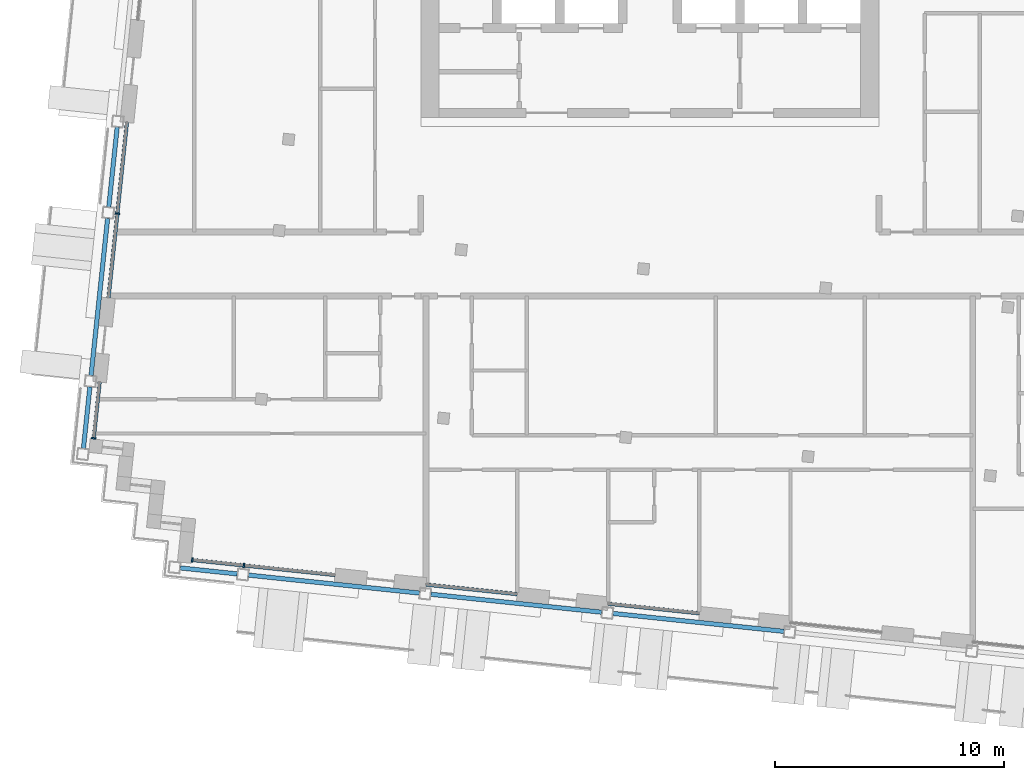
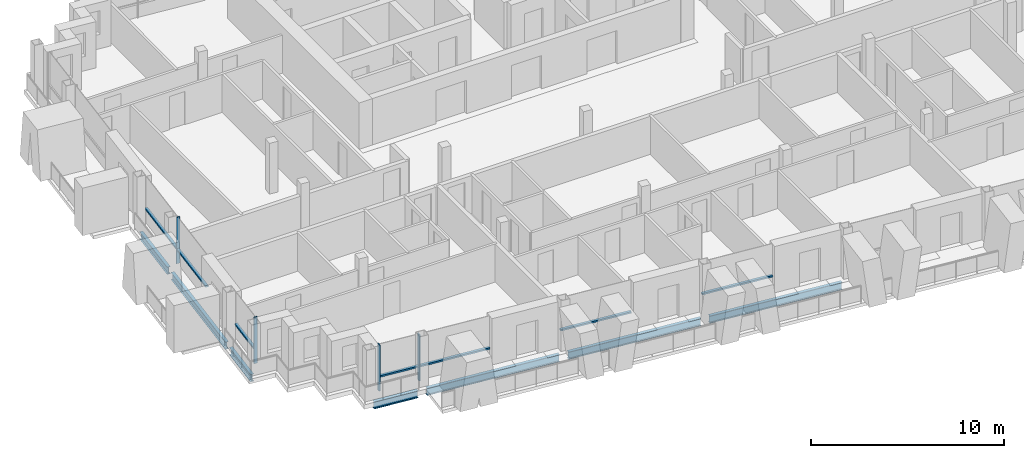
# One storey, part 2 of 16: 11 members, 7 beams, 5 elements without a shape of their own.
"""IFC4 building model written with IfcOpenShell, lengths in metres."""

from ifc_helpers import new_model, si_unit, direction, frame, origin, origin_2d, place, context, subcontext, project, spatial, rectangle, i_section, extrude, material, material_profile, profile_set, type_object, element, aggregate, save


model = new_model("IFC4")

# Units and contexts
model_context = context("Model", 3, precision=1e-05, world=origin(), true_north=direction((0.0, 1.0)))
body_context = subcontext(model_context, "Body", "Model", "MODEL_VIEW")
ifc_project = project(units=[si_unit("LENGTHUNIT", "METRE"), si_unit("AREAUNIT", "SQUARE_METRE"), si_unit("VOLUMEUNIT", "CUBIC_METRE"), si_unit("PLANEANGLEUNIT", "RADIAN"), si_unit("MASSUNIT", "GRAM", prefix="KILO")], contexts=[model_context])

# Site, building, storey
site_placement = place(None, origin())
site = spatial("IfcSite", under=ifc_project, at=site_placement, CompositionType="ELEMENT")
building_placement = place(site_placement, origin())
building = spatial("IfcBuilding", under=site, at=building_placement, Name="Vidyagriha Tower", CompositionType="ELEMENT")
storey_placement = place(building_placement, frame((0.0, 0.0, 259.5)))
storey = spatial("IfcBuildingStorey", under=building, at=storey_placement, Name="L67", CompositionType="ELEMENT", Elevation=259.5)

# Beams
ifc_material_1 = material(Name="Steel ASTM A992 Grade 50", Category="steel")
ifc_material_profile_1 = material_profile(ifc_material_1, i_section(OverallWidth=0.19189453125, OverallDepth=0.46240234375, WebThickness=0.010498046875, FlangeThickness=0.017578125, at=origin_2d()), Name="W18X60")
ifc_profile_set_1 = profile_set([ifc_material_profile_1], Name="Steel ASTM A992 Grade 50")
beam_type = type_object("IfcBeamType", Name="Edge beam W18X60", PredefinedType="SPANDREL", material=ifc_profile_set_1)
beam_1_placement = place(storey_placement, frame((-20.50341796875, -13.268798828125, -0.51123046875), z_axis=(0.994525767953, -0.104491611519, 0.0), x_axis=(0.104491611519, 0.994525767953, 0.0)))
element("IfcBeam", 1, at=beam_1_placement, inside=storey, type_object=beam_type, Name="st-beam-L67-S01", PredefinedType="SPANDREL", context=body_context, shape_type="SweptSolid", body=[
    extrude(i_section(OverallWidth=0.19189453125, OverallDepth=0.46240234375, WebThickness=0.010498046875, FlangeThickness=0.017578125, at=origin_2d()), origin(), (0.0, 0.0, 1.0), 2.5),
])
for number, where, z_axis, x_axis, name in (
    (2, (-17.519775390625, -13.582275390625, -0.51123046875), (0.994522384662, -0.104523807841, 0.0), (0.104523807841, 0.994522384662, 0.0), "st-beam-L67-S02"),
    (3, (-9.563720703125, -14.418701171875, -0.51123046875), (0.994525767953, -0.104491611519, 0.0), (0.104491611519, 0.994525767953, 0.0), "st-beam-L67-S03"),
    (4, (-1.607421875, -15.2548828125, -0.51123046875), (0.994522384662, -0.104523807841, 0.0), (0.104523807841, 0.994522384662, 0.0), "st-beam-L67-S04"),
):
    element("IfcBeam", number, at=place(storey_placement, frame(where, z_axis=z_axis, x_axis=x_axis)), inside=storey, type_object=beam_type, Name=name, PredefinedType="SPANDREL", context=body_context, shape_type="SweptSolid", body=[
        extrude(i_section(OverallWidth=0.19189453125, OverallDepth=0.46240234375, WebThickness=0.010498046875, FlangeThickness=0.017578125, at=origin_2d()), origin(), (0.0, 0.0, 1.0), 7.5),
    ])
beam_2_placement = place(storey_placement, frame((-24.730712890625, -8.04833984375, -0.51123046875), z_axis=(0.104524753323, 0.994522285292, 0.0), x_axis=(-0.994522285292, 0.104524753323, 0.0)))
element("IfcBeam", 5, at=beam_2_placement, inside=storey, type_object=beam_type, Name="st-beam-L67-W08", PredefinedType="SPANDREL", context=body_context, shape_type="SweptSolid", body=[
    extrude(i_section(OverallWidth=0.19189453125, OverallDepth=0.46240234375, WebThickness=0.010498046875, FlangeThickness=0.017578125, at=origin_2d()), origin(), (0.0, 0.0, 1.0), 2.7001953125),
])
beam_3_placement = place(storey_placement, frame((-24.396484375, -4.86572265625, -0.51123046875), z_axis=(0.104557694553, 0.994518822602, 0.0), x_axis=(-0.994518822602, 0.104557694553, 0.0)))
element("IfcBeam", 6, at=beam_3_placement, inside=storey, type_object=beam_type, Name="st-beam-L67-W09", PredefinedType="SPANDREL", context=body_context, shape_type="SweptSolid", body=[
    extrude(i_section(OverallWidth=0.19189453125, OverallDepth=0.46240234375, WebThickness=0.010498046875, FlangeThickness=0.017578125, at=origin_2d()), origin(), (0.0, 0.0, 1.0), 6.89990234375),
])
beam_4_placement = place(storey_placement, frame((-23.622802734375, 2.49365234375, -0.51123046875), z_axis=(0.104488712073, 0.994526072584, 0.0), x_axis=(-0.994526072584, 0.104488712073, 0.0)))
element("IfcBeam", 7, at=beam_4_placement, inside=storey, type_object=beam_type, Name="st-beam-L67-W10", PredefinedType="SPANDREL", context=body_context, shape_type="SweptSolid", body=[
    extrude(i_section(OverallWidth=0.19189453125, OverallDepth=0.46240234375, WebThickness=0.010498046875, FlangeThickness=0.017578125, at=origin_2d()), origin(), (0.0, 0.0, 1.0), 3.5),
])

# Curtain wall, member
ifc_material_2 = material(Name="Aluminium and glass curtain wall", Category="aluminium")
curtain_wall_type = type_object("IfcCurtainWallType", Name="Dwelling skin unitised curtain wall", PredefinedType="USERDEFINED", material=ifc_material_2)
curtain_wall_1_placement = place(storey_placement, origin())
curtain_wall_1 = element("IfcCurtainWall", 8, at=curtain_wall_1_placement, inside=storey, type_object=curtain_wall_type, Name="CW1 dwelling skin", ObjectType="UNITISED", PredefinedType="USERDEFINED")
ifc_material_3 = material(Name="Aluminium black anodised", Category="aluminium")
ifc_material_profile_2 = material_profile(ifc_material_3, rectangle(XDim=0.199951171875, YDim=0.070068359375, at=origin_2d()), Name="Mullion 70x200 black aluminium")
ifc_profile_set_2 = profile_set([ifc_material_profile_2], Name="Aluminium black anodised")
member_type_1 = type_object("IfcMemberType", Name="Mullion 70x200 black aluminium", PredefinedType="MULLION", material=ifc_profile_set_2)
member_1_placement = place(storey_placement, frame((-23.251220703125, 2.203369140625, 0.0), z_axis=(0.0, 0.0, 1.0), x_axis=(0.994521452706, -0.10453267483, 0.0)))
member_1 = element("IfcMember", 9, at=member_1_placement, type_object=member_type_1, Name="CW1 mullion 2", PredefinedType="MULLION", context=body_context, shape_type="SweptSolid", body=[
    extrude(rectangle(XDim=0.199951171875, YDim=0.070068359375, at=origin_2d()), origin(), (0.0, 0.0, 1.0), 2.919921875),
])

curtain_wall_2_placement = place(storey_placement, origin())
curtain_wall_2 = element("IfcCurtainWall", 10, at=curtain_wall_2_placement, inside=storey, type_object=curtain_wall_type, Name="CW1 dwelling skin", ObjectType="UNITISED", PredefinedType="USERDEFINED")
member_2_placement = place(storey_placement, frame((-24.2822265625, -7.60791015625, 0.0), z_axis=(0.0, 0.0, 1.0), x_axis=(0.994523191389, -0.10451613172, 0.0)))
member_2 = element("IfcMember", 11, at=member_2_placement, type_object=member_type_1, Name="CW1 mullion 2", PredefinedType="MULLION", context=body_context, shape_type="SweptSolid", body=[
    extrude(rectangle(XDim=0.199951171875, YDim=0.070068359375, at=origin_2d()), origin(), (0.0, 0.0, 1.0), 2.919921875),
])

# Curtain wall, members
curtain_wall_3_placement = place(storey_placement, origin())
curtain_wall_3 = element("IfcCurtainWall", 12, at=curtain_wall_3_placement, inside=storey, type_object=curtain_wall_type, Name="CW1 dwelling skin", ObjectType="UNITISED", PredefinedType="USERDEFINED")
member_3_placement = place(storey_placement, frame((-19.979248046875, -12.921630859375, 0.0), z_axis=(0.0, 0.0, 1.0), x_axis=(0.104523661385, 0.994522400055, 0.0)))
member_3 = element("IfcMember", 13, at=member_3_placement, type_object=member_type_1, Name="CW1 mullion 1", PredefinedType="MULLION", context=body_context, shape_type="SweptSolid", body=[
    extrude(rectangle(XDim=0.199951171875, YDim=0.070068359375, at=origin_2d()), origin(), (0.0, 0.0, 1.0), 2.919921875),
])
member_4_placement = place(storey_placement, frame((-17.7265625, -13.158447265625, 0.0), z_axis=(0.0, 0.0, 1.0), x_axis=(0.104523661385, 0.994522400055, 0.0)))
member_4 = element("IfcMember", 14, at=member_4_placement, type_object=member_type_1, Name="CW1 mullion 2", PredefinedType="MULLION", context=body_context, shape_type="SweptSolid", body=[
    extrude(rectangle(XDim=0.199951171875, YDim=0.070068359375, at=origin_2d()), origin(), (0.0, 0.0, 1.0), 2.919921875),
])

# Member
ifc_material_4 = material(Name="Aluminium black anodised", Category="aluminium")
ifc_material_profile_3 = material_profile(ifc_material_4, rectangle(XDim=0.159912109375, YDim=0.10009765625, at=origin_2d()), Name="Transom 100x160 black aluminium")
ifc_profile_set_3 = profile_set([ifc_material_profile_3], Name="Aluminium black anodised")
member_type_2 = type_object("IfcMemberType", Name="Transom 100x160 black aluminium", PredefinedType="USERDEFINED", material=ifc_profile_set_3)
member_5_placement = place(storey_placement, frame((-22.8330078125, 6.181396484375, 0.89990234375), z_axis=(-0.104550167438, -0.994519613929, 0.0), x_axis=(0.994519613929, -0.104550167438, 0.0)))
member_5 = element("IfcMember", 15, at=member_5_placement, type_object=member_type_2, Name="CW1 transom 1.1", ObjectType="TRANSOM", PredefinedType="USERDEFINED", context=body_context, shape_type="SweptSolid", body=[
    extrude(rectangle(XDim=0.159912109375, YDim=0.10009765625, at=origin_2d()), origin(), (0.0, 0.0, 1.0), 3.965087890625),
])

member_6_placement = place(storey_placement, frame((-23.2548828125, 2.16845703125, 0.89990234375), z_axis=(-0.104521800028, -0.99452259568, 0.0), x_axis=(0.99452259568, -0.104521800028, 0.0)))
member_6 = element("IfcMember", 16, at=member_6_placement, type_object=member_type_2, Name="CW1 transom 2.1", ObjectType="TRANSOM", PredefinedType="USERDEFINED", context=body_context, shape_type="SweptSolid", body=[
    extrude(rectangle(XDim=0.159912109375, YDim=0.10009765625, at=origin_2d()), origin(), (0.0, 0.0, 1.0), 3.664794921875),
])

aggregate(curtain_wall_1, [member_1, member_5, member_6])

member_7_placement = place(storey_placement, frame((-24.024658203125, -5.15625, 0.89990234375), z_axis=(-0.104486049741, -0.994526352295, 0.0), x_axis=(0.994526352295, -0.104486049741, 0.0)))
member_7 = element("IfcMember", 17, at=member_7_placement, type_object=member_type_2, Name="CW1 transom 1.1", ObjectType="TRANSOM", PredefinedType="USERDEFINED", context=body_context, shape_type="SweptSolid", body=[
    extrude(rectangle(XDim=0.159912109375, YDim=0.10009765625, at=origin_2d()), origin(), (0.0, 0.0, 1.0), 2.429931640625),
])

aggregate(curtain_wall_2, [member_2, member_7])

member_8_placement = place(storey_placement, frame((-19.9443359375, -12.92529296875, 0.89990234375), z_axis=(0.994518853465, -0.104557400991, 0.0), x_axis=(0.104557400991, 0.994518853465, 0.0)))
member_8 = element("IfcMember", 18, at=member_8_placement, type_object=member_type_2, Name="CW1 transom 1.1", ObjectType="TRANSOM", PredefinedType="USERDEFINED", context=body_context, shape_type="SweptSolid", body=[
    extrude(rectangle(XDim=0.159912109375, YDim=0.10009765625, at=origin_2d()), origin(), (0.0, 0.0, 1.0), 2.19482421875),
])

member_9_placement = place(storey_placement, frame((-17.69189453125, -13.162109375, 0.89990234375), z_axis=(0.994526014245, -0.104489267346, 0.0), x_axis=(0.104489267346, 0.994526014245, 0.0)))
member_9 = element("IfcMember", 19, at=member_9_placement, type_object=member_type_2, Name="CW1 transom 2.1", ObjectType="TRANSOM", PredefinedType="USERDEFINED", context=body_context, shape_type="SweptSolid", body=[
    extrude(rectangle(XDim=0.159912109375, YDim=0.10009765625, at=origin_2d()), origin(), (0.0, 0.0, 1.0), 3.965087890625),
])

aggregate(curtain_wall_3, [member_3, member_4, member_8, member_9])

# Curtain wall, member
curtain_wall_4_placement = place(storey_placement, origin())
curtain_wall_4 = element("IfcCurtainWall", 20, at=curtain_wall_4_placement, inside=storey, type_object=curtain_wall_type, Name="CW1 dwelling skin", ObjectType="UNITISED", PredefinedType="USERDEFINED")
member_10_placement = place(storey_placement, frame((-9.7705078125, -13.99462890625, 0.89990234375), z_axis=(0.99451982373, -0.104548171712, 0.0), x_axis=(0.104548171712, 0.99451982373, 0.0)))
member_10 = element("IfcMember", 21, at=member_10_placement, type_object=member_type_2, Name="CW1 transom 1.1", ObjectType="TRANSOM", PredefinedType="USERDEFINED", context=body_context, shape_type="SweptSolid", body=[
    extrude(rectangle(XDim=0.159912109375, YDim=0.10009765625, at=origin_2d()), origin(), (0.0, 0.0, 1.0), 4.000244140625),
])
aggregate(curtain_wall_4, [member_10])

curtain_wall_5_placement = place(storey_placement, origin())
curtain_wall_5 = element("IfcCurtainWall", 22, at=curtain_wall_5_placement, inside=storey, type_object=curtain_wall_type, Name="CW1 dwelling skin", ObjectType="UNITISED", PredefinedType="USERDEFINED")
member_11_placement = place(storey_placement, frame((-1.814208984375, -14.830810546875, 0.89990234375), z_axis=(0.994519156568, -0.104554517933, 0.0), x_axis=(0.104554517933, 0.994519156568, 0.0)))
member_11 = element("IfcMember", 23, at=member_11_placement, type_object=member_type_2, Name="CW1 transom 1.1", ObjectType="TRANSOM", PredefinedType="USERDEFINED", context=body_context, shape_type="SweptSolid", body=[
    extrude(rectangle(XDim=0.159912109375, YDim=0.10009765625, at=origin_2d()), origin(), (0.0, 0.0, 1.0), 4.0),
])
aggregate(curtain_wall_5, [member_11])

save(model, "model.ifc")
